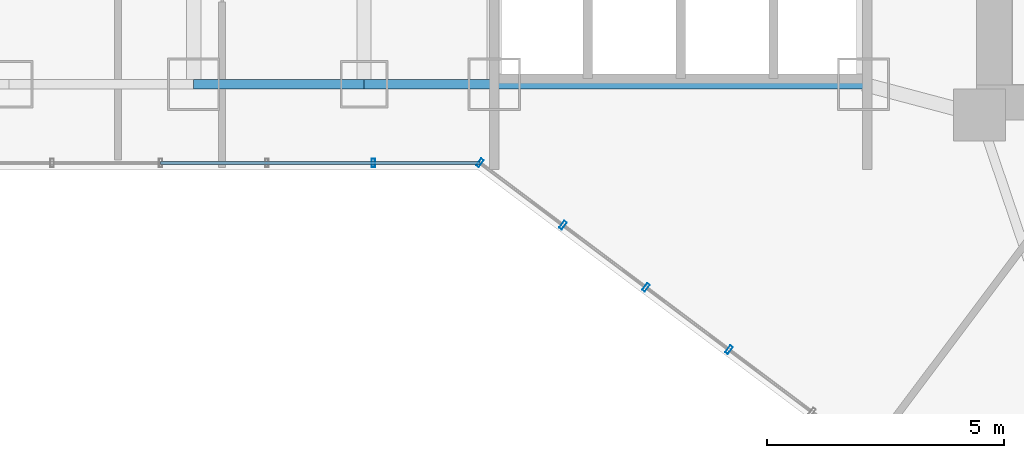
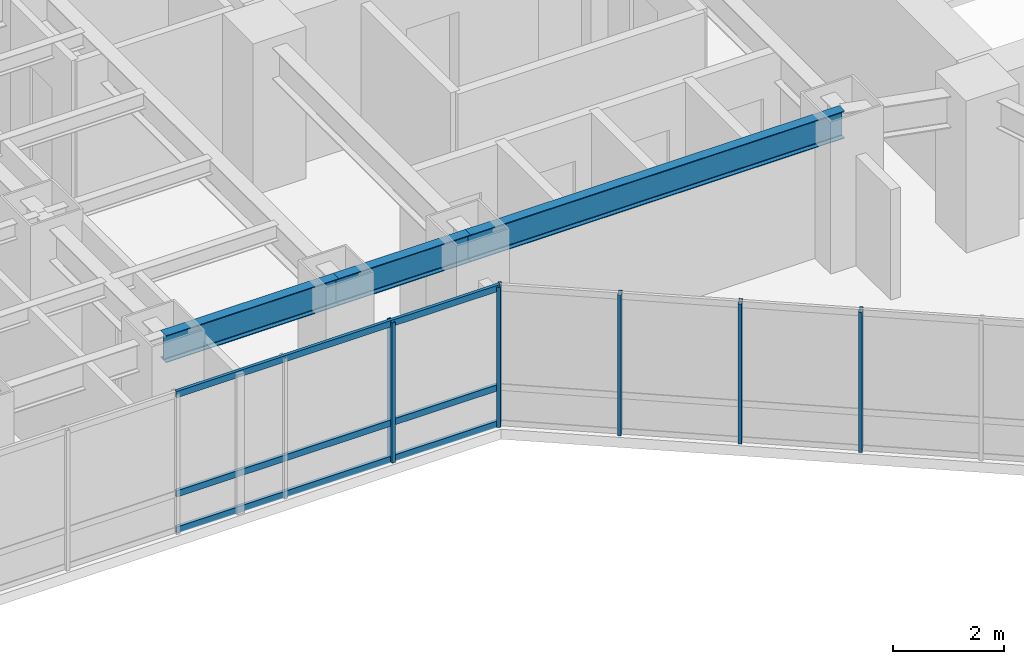
# One storey, part 7 of 39: 8 members, 3 beams, 2 elements without a shape of their own.
"""IFC4 building model written with IfcOpenShell, lengths in metres."""

from ifc_helpers import new_model, si_unit, direction, frame, origin, origin_2d, place, context, subcontext, project, spatial, hollow_rectangle, i_section, extrude, material, layer, layer_set, material_profile, profile_set, type_object, element, aggregate, save


model = new_model("IFC4")

# Units and contexts
model_context = context("Model", 3, precision=1e-05, world=origin(), true_north=direction((0.0, 1.0)))
body_context = subcontext(model_context, "Body", "Model", "MODEL_VIEW")
ifc_project = project(units=[si_unit("LENGTHUNIT", "METRE"), si_unit("AREAUNIT", "SQUARE_METRE"), si_unit("VOLUMEUNIT", "CUBIC_METRE"), si_unit("PLANEANGLEUNIT", "RADIAN"), si_unit("MASSUNIT", "GRAM", prefix="KILO")], contexts=[model_context])

# Site, building, storey
site_placement = place(None, origin())
site = spatial("IfcSite", under=ifc_project, at=site_placement, CompositionType="ELEMENT")
building_placement = place(site_placement, origin())
building = spatial("IfcBuilding", under=site, at=building_placement, Name="Hatsunagi Terrace Concourse", CompositionType="ELEMENT")
storey_placement = place(building_placement, frame((0.0, 0.0, 66.75)))
storey = spatial("IfcBuildingStorey", under=building, at=storey_placement, Name="L17", CompositionType="ELEMENT", Elevation=66.75)

# Curtain wall, members
ifc_material_1 = material(Name="Anodised Aluminium Alloy 6063-T5", Category="aluminium")
ifc_layer = layer(ifc_material_1, 0.199951171875)
ifc_layer_set = layer_set([ifc_layer], Name="HotelFacade_CW02")
curtain_wall_type = type_object("IfcCurtainWallType", Name="HotelFacade_CW02", PredefinedType="NOTDEFINED", material=ifc_layer_set)
curtain_wall_1_placement = place(storey_placement, origin())
curtain_wall_1 = element("IfcCurtainWall", 1, at=curtain_wall_1_placement, inside=storey, type_object=curtain_wall_type, Name="Unitised Curtain Wall CW-02 CW-L17-05", PredefinedType="NOTDEFINED")
ifc_material_2 = material(Name="Anodised Aluminium Alloy 6063-T5", Category="aluminium")
ifc_material_profile_1 = material_profile(ifc_material_2, hollow_rectangle(XDim=0.070068359375, YDim=0.179931640625, WallThickness=0.00390625, at=origin_2d()), Name="ALU-MUL-180x70x4")
ifc_profile_set_1 = profile_set([ifc_material_profile_1], Name="Anodised Aluminium Alloy 6063-T5")
member_type_1 = type_object("IfcMemberType", Name="CurtainWallMullion_180x70", PredefinedType="MULLION", material=ifc_profile_set_1)
member_1_placement = place(storey_placement, frame((30.510009765625, 19.593017578125, 0.0), z_axis=(0.0, 0.0, 1.0), x_axis=(-0.800003116929, 0.599995844072, 0.0)))
member_1 = element("IfcMember", 2, at=member_1_placement, type_object=member_type_1, Name="Curtain Wall Mullion MUL-02", PredefinedType="MULLION", context=body_context, shape_type="SweptSolid", body=[
    extrude(hollow_rectangle(XDim=0.070068359375, YDim=0.179931640625, WallThickness=0.00390625, at=origin_2d()), origin(), (0.0, 0.0, 1.0), 3.090087890625),
])
member_2_placement = place(storey_placement, frame((28.756103515625, 20.907958984375, 0.0), z_axis=(0.0, 0.0, 1.0), x_axis=(-0.800003116929, 0.599995844072, 0.0)))
member_2 = element("IfcMember", 3, at=member_2_placement, type_object=member_type_1, Name="Curtain Wall Mullion MUL-02", PredefinedType="MULLION", context=body_context, shape_type="SweptSolid", body=[
    extrude(hollow_rectangle(XDim=0.070068359375, YDim=0.179931640625, WallThickness=0.00390625, at=origin_2d()), origin(), (0.0, 0.0, 1.0), 3.090087890625),
])
member_3_placement = place(storey_placement, frame((27.0009765625, 22.22412109375, 0.0), z_axis=(0.0, 0.0, 1.0), x_axis=(-0.800003116929, 0.599995844072, 0.0)))
member_3 = element("IfcMember", 4, at=member_3_placement, type_object=member_type_1, Name="Curtain Wall Mullion MUL-02", PredefinedType="MULLION", context=body_context, shape_type="SweptSolid", body=[
    extrude(hollow_rectangle(XDim=0.070068359375, YDim=0.179931640625, WallThickness=0.00390625, at=origin_2d()), origin(), (0.0, 0.0, 1.0), 3.090087890625),
])
member_4_placement = place(storey_placement, frame((25.2470703125, 23.5400390625, 0.0), z_axis=(0.0, 0.0, 1.0), x_axis=(-0.800003116929, 0.599995844072, 0.0)))
member_4 = element("IfcMember", 5, at=member_4_placement, type_object=member_type_1, Name="Curtain Wall Mullion MUL-02", PredefinedType="MULLION", context=body_context, shape_type="SweptSolid", body=[
    extrude(hollow_rectangle(XDim=0.070068359375, YDim=0.179931640625, WallThickness=0.00390625, at=origin_2d()), origin(), (0.0, 0.0, 1.0), 3.090087890625),
])
aggregate(curtain_wall_1, [member_1, member_2, member_3, member_4])

curtain_wall_2_placement = place(storey_placement, origin())
curtain_wall_2 = element("IfcCurtainWall", 6, at=curtain_wall_2_placement, inside=storey, type_object=curtain_wall_type, Name="Unitised Curtain Wall CW-02 CW-L17-06", PredefinedType="NOTDEFINED")
member_5_placement = place(storey_placement, frame((22.998046875, 23.5400390625, 0.0), z_axis=(0.0, 0.0, 1.0), x_axis=(-1.0, 0.0, 0.0)))
member_5 = element("IfcMember", 7, at=member_5_placement, type_object=member_type_1, Name="Curtain Wall Mullion MUL-02", PredefinedType="MULLION", context=body_context, shape_type="SweptSolid", body=[
    extrude(hollow_rectangle(XDim=0.070068359375, YDim=0.179931640625, WallThickness=0.00390625, at=origin_2d()), origin(), (0.0, 0.0, 1.0), 3.090087890625),
])
ifc_material_3 = material(Name="Anodised Aluminium Alloy 6063-T5", Category="aluminium")
ifc_material_profile_2 = material_profile(ifc_material_3, hollow_rectangle(XDim=0.06494140625, YDim=0.139892578125, WallThickness=0.00390625, at=origin_2d()), Name="ALU-TRN-140x65x4")
ifc_profile_set_2 = profile_set([ifc_material_profile_2], Name="Anodised Aluminium Alloy 6063-T5")
member_type_2 = type_object("IfcMemberType", Name="CurtainWallTransom_140x65", PredefinedType="USERDEFINED", material=ifc_profile_set_2)
member_6_placement = place(storey_placement, frame((25.2470703125, 23.5400390625, 0.050048828125), z_axis=(-1.0, 0.0, 0.0), x_axis=(0.0, -1.0, 0.0)))
member_6 = element("IfcMember", 8, at=member_6_placement, type_object=member_type_2, Name="Curtain Wall Transom TRN-02", ObjectType="TRANSOM", PredefinedType="USERDEFINED", context=body_context, shape_type="SweptSolid", body=[
    extrude(hollow_rectangle(XDim=0.06494140625, YDim=0.139892578125, WallThickness=0.00390625, at=origin_2d()), origin(), (0.0, 0.0, 1.0), 6.7470703125),
])
member_7_placement = place(storey_placement, frame((25.2470703125, 23.5400390625, 0.85009765625), z_axis=(-1.0, 0.0, 0.0), x_axis=(0.0, -1.0, 0.0)))
member_7 = element("IfcMember", 9, at=member_7_placement, type_object=member_type_2, Name="Curtain Wall Transom TRN-02", ObjectType="TRANSOM", PredefinedType="USERDEFINED", context=body_context, shape_type="SweptSolid", body=[
    extrude(hollow_rectangle(XDim=0.06494140625, YDim=0.139892578125, WallThickness=0.00390625, at=origin_2d()), origin(), (0.0, 0.0, 1.0), 6.7470703125),
])
member_8_placement = place(storey_placement, frame((25.2470703125, 23.5400390625, 3.0400390625), z_axis=(-1.0, 0.0, 0.0), x_axis=(0.0, -1.0, 0.0)))
member_8 = element("IfcMember", 10, at=member_8_placement, type_object=member_type_2, Name="Curtain Wall Transom TRN-02", ObjectType="TRANSOM", PredefinedType="USERDEFINED", context=body_context, shape_type="SweptSolid", body=[
    extrude(hollow_rectangle(XDim=0.06494140625, YDim=0.139892578125, WallThickness=0.00390625, at=origin_2d()), origin(), (0.0, 0.0, 1.0), 6.7470703125),
])
aggregate(curtain_wall_2, [member_5, member_6, member_7, member_8])

# Beams
ifc_material_4 = material(Name="Steel SN490B", Category="steel")
ifc_material_profile_3 = material_profile(ifc_material_4, i_section(OverallWidth=0.199951171875, OverallDepth=0.60009765625, WebThickness=0.010986328125, FlangeThickness=0.01708984375, FilletRadius=0.01806640625, at=origin_2d()), Name="H-600x200x11x17")
ifc_profile_set_3 = profile_set([ifc_material_profile_3], Name="Steel SN490B")
beam_type = type_object("IfcBeamType", Name="PerimeterSpandrel_H_600x200", PredefinedType="SPANDREL", material=ifc_profile_set_3)
beam_1_placement = place(storey_placement, frame((19.199951171875, 25.199951171875, 2.830078125), z_axis=(1.0, 0.0, 0.0), x_axis=(0.0, 1.0, 0.0)))
element("IfcBeam", 11, at=beam_1_placement, inside=storey, type_object=beam_type, Name="Beam SP-01 BM-L17-WS-19", PredefinedType="SPANDREL", context=body_context, shape_type="SweptSolid", body=[
    extrude(i_section(OverallWidth=0.199951171875, OverallDepth=0.60009765625, WebThickness=0.010986328125, FlangeThickness=0.01708984375, FilletRadius=0.01806640625, at=origin_2d()), origin(), (0.0, 0.0, 1.0), 3.60009765625),
])
beam_2_placement = place(storey_placement, frame((22.800048828125, 25.199951171875, 2.830078125), z_axis=(1.0, 0.0, 0.0), x_axis=(0.0, 1.0, 0.0)))
element("IfcBeam", 12, at=beam_2_placement, inside=storey, type_object=beam_type, Name="Beam SP-01 BM-L17-WS-22", PredefinedType="SPANDREL", context=body_context, shape_type="SweptSolid", body=[
    extrude(i_section(OverallWidth=0.199951171875, OverallDepth=0.60009765625, WebThickness=0.010986328125, FlangeThickness=0.01708984375, FilletRadius=0.01806640625, at=origin_2d()), origin(), (0.0, 0.0, 1.0), 2.75),
])
beam_3_placement = place(storey_placement, frame((25.550048828125, 25.199951171875, 2.830078125), z_axis=(1.0, 0.0, 0.0), x_axis=(0.0, 1.0, 0.0)))
element("IfcBeam", 13, at=beam_3_placement, inside=storey, type_object=beam_type, Name="Beam SP-01 BM-L17-WS-25", PredefinedType="SPANDREL", context=body_context, shape_type="SweptSolid", body=[
    extrude(i_section(OverallWidth=0.199951171875, OverallDepth=0.60009765625, WebThickness=0.010986328125, FlangeThickness=0.01708984375, FilletRadius=0.01806640625, at=origin_2d()), origin(), (0.0, 0.0, 1.0), 7.800048828125),
])

save(model, "model.ifc")
